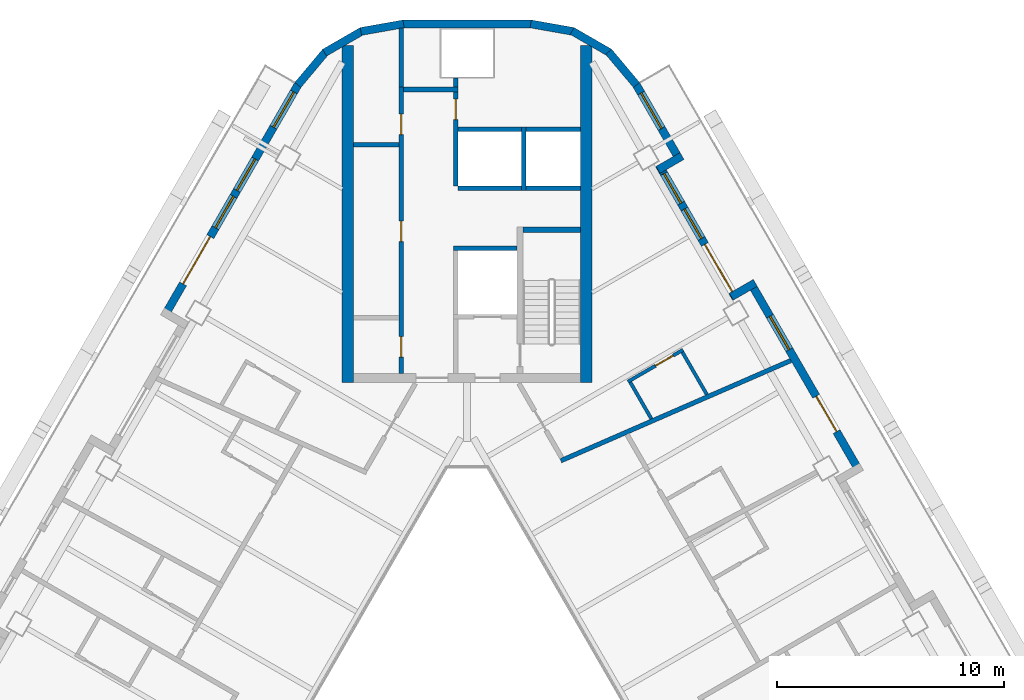
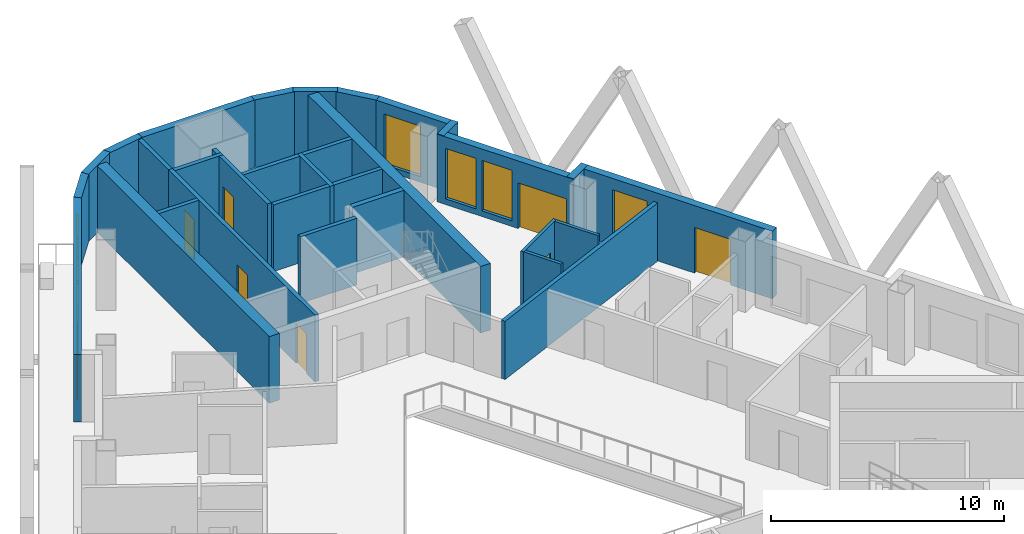
# One storey, part 7 of 14: 32 walls, 8 doors, 7 windows, 15 openings.
"""IFC4 building model written with IfcOpenShell, lengths in metres."""

from ifc_helpers import new_model, si_unit, direction, frame, frame_2d, origin, place, context, subcontext, project, spatial, rectangle, extrude, material, layer, layer_set, type_object, element, fill, save


model = new_model("IFC4")

# Units and contexts
model_context = context("Model", 3, precision=1e-05, world=origin(), true_north=direction((0.0, 1.0)))
body_context = subcontext(model_context, "Body", "Model", "MODEL_VIEW")
ifc_project = project(units=[si_unit("LENGTHUNIT", "METRE"), si_unit("AREAUNIT", "SQUARE_METRE"), si_unit("VOLUMEUNIT", "CUBIC_METRE"), si_unit("PLANEANGLEUNIT", "RADIAN"), si_unit("MASSUNIT", "GRAM", prefix="KILO")], contexts=[model_context])

# Site, building, storey
site_placement = place(None, origin())
site = spatial("IfcSite", under=ifc_project, at=site_placement, CompositionType="ELEMENT")
building_placement = place(site_placement, origin())
building = spatial("IfcBuilding", under=site, at=building_placement, Name="Apuvela Tower Hotel", CompositionType="ELEMENT")
storey_placement = place(building_placement, frame((0.0, 0.0, 154.0)))
storey = spatial("IfcBuildingStorey", under=building, at=storey_placement, Name="L36", CompositionType="ELEMENT", Elevation=154.0)

# Walls
ifc_material_1 = material(Name="Concrete C50/60", Category="concrete")
ifc_layer_1 = layer(ifc_material_1, 0.5)
ifc_layer_set_1 = layer_set([ifc_layer_1], Name="COR-WALL-CORE-500")
wall_type_1 = type_object("IfcWallType", Name="COR-WALL-CORE-500", PredefinedType="SHEAR", material=ifc_layer_set_1)
for number, where, z_axis, x_axis, name in (
    (1, (5.25, 12.89990234375, 0.0), (0.0, 0.0, 1.0), (0.0, 1.0, 0.0), "Core wall N"),
    (2, (-5.25, 12.89990234375, 0.0), (0.0, 0.0, 1.0), (0.0, 1.0, 0.0), "Core wall N"),
):
    element("IfcWall", number, at=place(storey_placement, frame(where, z_axis=z_axis, x_axis=x_axis)), inside=storey, type_object=wall_type_1, Name=name, PredefinedType="SHEAR", context=body_context, shape_type="SweptSolid", body=[
        extrude(rectangle(XDim=14.8369140625, YDim=0.5, at=frame_2d((7.41845703125, 0.0))), origin(), (0.0, 0.0, 1.0), 3.5),
    ])
ifc_material_2 = material(Name="Blockwork 200 mm plastered", Category="masonry")
ifc_layer_2 = layer(ifc_material_2, 0.199951171875)
ifc_layer_set_2 = layer_set([ifc_layer_2], Name="COR-WALL-PART-200")
wall_type_2 = type_object("IfcWallType", Name="COR-WALL-PART-200", PredefinedType="PARTITIONING", material=ifc_layer_set_2)
wall_1_placement = place(storey_placement, frame((5.0, 21.449951171875, 0.0), z_axis=(0.0, 0.0, 1.0), x_axis=(-1.0, 0.0, 0.0)))
element("IfcWall", 3, at=wall_1_placement, inside=storey, type_object=wall_type_2, Name="Partition N", PredefinedType="PARTITIONING", context=body_context, shape_type="SweptSolid", body=[
    extrude(rectangle(XDim=2.39990234375, YDim=0.199951171875, at=frame_2d((1.199951171875, 0.0))), origin(), (0.0, 0.0, 1.0), 3.5),
])
wall_2_placement = place(storey_placement, frame((2.39990234375, 21.449951171875, 0.0), z_axis=(0.0, 0.0, 1.0), x_axis=(-1.0, 0.0, 0.0)))
element("IfcWall", 4, at=wall_2_placement, inside=storey, type_object=wall_type_2, Name="Partition N", PredefinedType="PARTITIONING", context=body_context, shape_type="SweptSolid", body=[
    extrude(rectangle(XDim=2.7998046875, YDim=0.199951171875, at=frame_2d((1.39990234375, 0.0))), origin(), (0.0, 0.0, 1.0), 3.5),
])
ifc_layer_3 = layer(ifc_material_1, 0.199951171875)
ifc_layer_set_3 = layer_set([ifc_layer_3], Name="COR-WALL-SHAFT-200")
wall_type_3 = type_object("IfcWallType", Name="COR-WALL-SHAFT-200", PredefinedType="SHEAR", material=ifc_layer_set_3)
wall_3_placement = place(storey_placement, frame((2.199951171875, 18.800048828125, 0.0), z_axis=(0.0, 0.0, 1.0), x_axis=(-1.0, 0.0, 0.0)))
element("IfcWall", 5, at=wall_3_placement, inside=storey, type_object=wall_type_3, Name="Shaft wall N", PredefinedType="SHEAR", context=body_context, shape_type="SweptSolid", body=[
    extrude(rectangle(XDim=2.800048828125, YDim=0.199951171875, at=frame_2d((1.39990234375, 0.0))), origin(), (0.0, 0.0, 1.0), 3.5),
])

# Wall, openings, doors
wall_4_placement = place(storey_placement, frame((-2.89990234375, 13.300048828125, 0.0), z_axis=(0.0, 0.0, 1.0), x_axis=(0.0, 1.0, 0.0)))
wall_4 = element("IfcWall", 6, at=wall_4_placement, inside=storey, type_object=wall_type_3, Name="Shaft wall N", PredefinedType="SHEAR", context=body_context, shape_type="SweptSolid", body=[
    extrude(rectangle(XDim=12.599853515625, YDim=0.199951171875, at=frame_2d((6.2998046875, 0.0))), origin(), (0.0, 0.0, 1.0), 3.5),
])
opening_1_placement = place(wall_4_placement, frame((0.719970703125, 0.0, 0.0)))
opening_1 = element("IfcOpeningElement", 7, at=opening_1_placement, cuts=wall_4, Name="Opening N-RE1", PredefinedType="OPENING", context=body_context, shape_type="SweptSolid", body=[
    extrude(rectangle(XDim=0.89990234375, YDim=2.10009765625, at=frame_2d((0.449951171875, 1.050048828125))), frame((0.0, 0.10986328125, 0.0), z_axis=(0.0, -1.0, 0.0), x_axis=(1.0, 0.0, 0.0)), (0.0, 0.0, 1.0), 0.219970703125),
])
opening_2_placement = place(wall_4_placement, frame((5.800048828125, 0.0, 0.0)))
opening_2 = element("IfcOpeningElement", 8, at=opening_2_placement, cuts=wall_4, Name="Opening N-RE2", PredefinedType="OPENING", context=body_context, shape_type="SweptSolid", body=[
    extrude(rectangle(XDim=0.89990234375, YDim=2.10009765625, at=frame_2d((0.449951171875, 1.050048828125))), frame((0.0, 0.10986328125, 0.0), z_axis=(0.0, -1.0, 0.0), x_axis=(1.0, 0.0, 0.0)), (0.0, 0.0, 1.0), 0.219970703125),
])
opening_3_placement = place(wall_4_placement, frame((10.510009765625, 0.0, 0.0)))
opening_3 = element("IfcOpeningElement", 9, at=opening_3_placement, cuts=wall_4, Name="Opening N-REP", PredefinedType="OPENING", context=body_context, shape_type="SweptSolid", body=[
    extrude(rectangle(XDim=0.89990234375, YDim=2.10009765625, at=frame_2d((0.449951171875, 1.050048828125))), frame((0.0, 0.10986328125, 0.0), z_axis=(0.0, -1.0, 0.0), x_axis=(1.0, 0.0, 0.0)), (0.0, 0.0, 1.0), 0.219970703125),
])
ifc_material_3 = material(Name="Steel fire door, powder coated", Category="steel")
door_type_1 = type_object("IfcDoorType", Name="COR-DR-900", OperationType="NOTDEFINED", PredefinedType="DOOR", material=ifc_material_3)
door_1_placement = place(opening_1_placement, origin())
door_1 = element("IfcDoor", 10, at=door_1_placement, inside=storey, type_object=door_type_1, Name="Store door N-RE1", OperationType="SINGLE_SWING_LEFT", OverallHeight=2.10009765625, OverallWidth=0.89990234375, PredefinedType="DOOR", context=body_context, shape_type="SweptSolid", body=[
    extrude(rectangle(XDim=0.89990234375, YDim=2.10009765625, at=frame_2d((0.449951171875, 1.050048828125))), frame((0.0, 0.02490234375, 0.0), z_axis=(0.0, -1.0, 0.0), x_axis=(1.0, 0.0, 0.0)), (0.0, 0.0, 1.0), 0.050048828125),
])
fill(opening_1, door_1)
door_2_placement = place(opening_2_placement, origin())
door_2 = element("IfcDoor", 11, at=door_2_placement, inside=storey, type_object=door_type_1, Name="Store door N-RE2", OperationType="SINGLE_SWING_RIGHT", OverallHeight=2.10009765625, OverallWidth=0.89990234375, PredefinedType="DOOR", context=body_context, shape_type="SweptSolid", body=[
    extrude(rectangle(XDim=0.89990234375, YDim=2.10009765625, at=frame_2d((0.449951171875, 1.050048828125))), frame((0.0, 0.02490234375, 0.0), z_axis=(0.0, -1.0, 0.0), x_axis=(1.0, 0.0, 0.0)), (0.0, 0.0, 1.0), 0.050048828125),
])
fill(opening_2, door_2)
door_3_placement = place(opening_3_placement, origin())
door_3 = element("IfcDoor", 12, at=door_3_placement, inside=storey, type_object=door_type_1, Name="Store door N-REP", OperationType="SINGLE_SWING_RIGHT", OverallHeight=2.10009765625, OverallWidth=0.89990234375, PredefinedType="DOOR", context=body_context, shape_type="SweptSolid", body=[
    extrude(rectangle(XDim=0.89990234375, YDim=2.10009765625, at=frame_2d((0.449951171875, 1.050048828125))), frame((0.0, 0.02490234375, 0.0), z_axis=(0.0, -1.0, 0.0), x_axis=(1.0, 0.0, 0.0)), (0.0, 0.0, 1.0), 0.050048828125),
])
fill(opening_3, door_3)

# Wall
wall_5_placement = place(storey_placement, frame((-0.39990234375, 25.800048828125, 0.0), z_axis=(0.0, 0.0, 1.0), x_axis=(-1.0, 0.0, 0.0)))
element("IfcWall", 13, at=wall_5_placement, inside=storey, type_object=wall_type_3, Name="Shaft wall N", PredefinedType="SHEAR", context=body_context, shape_type="SweptSolid", body=[
    extrude(rectangle(XDim=2.400146484375, YDim=0.199951171875, at=frame_2d((1.2001953125, 0.0))), origin(), (0.0, 0.0, 1.0), 3.5),
])

# Wall, opening, door
wall_6_placement = place(storey_placement, frame((-0.5, 21.550048828125, 0.0), z_axis=(0.0, 0.0, 1.0), x_axis=(0.0, 1.0, 0.0)))
wall_6 = element("IfcWall", 14, at=wall_6_placement, inside=storey, type_object=wall_type_3, Name="Shaft wall N", PredefinedType="SHEAR", context=body_context, shape_type="SweptSolid", body=[
    extrude(rectangle(XDim=4.14990234375, YDim=0.199951171875, at=frame_2d((2.074951171875, 0.0))), origin(), (0.0, 0.0, 1.0), 3.5),
])
opening_4_placement = place(wall_6_placement, frame((2.925048828125, 0.0, 0.0)))
opening_4 = element("IfcOpeningElement", 15, at=opening_4_placement, cuts=wall_6, Name="Opening N-RSP", PredefinedType="OPENING", context=body_context, shape_type="SweptSolid", body=[
    extrude(rectangle(XDim=0.89990234375, YDim=2.10009765625, at=frame_2d((0.449951171875, 1.050048828125))), frame((0.0, 0.10986328125, 0.0), z_axis=(0.0, -1.0, 0.0), x_axis=(1.0, 0.0, 0.0)), (0.0, 0.0, 1.0), 0.219970703125),
])
door_4_placement = place(opening_4_placement, frame((0.89990234375, 0.0, 0.0), z_axis=(0.0, 0.0, 1.0), x_axis=(-1.0, 0.0, 0.0)))
door_4 = element("IfcDoor", 16, at=door_4_placement, inside=storey, type_object=door_type_1, Name="Store door N-RSP", OperationType="SINGLE_SWING_LEFT", OverallHeight=2.10009765625, OverallWidth=0.89990234375, PredefinedType="DOOR", context=body_context, shape_type="SweptSolid", body=[
    extrude(rectangle(XDim=0.89990234375, YDim=2.10009765625, at=frame_2d((0.449951171875, 1.050048828125))), frame((0.0, 0.02490234375, 0.0), z_axis=(0.0, -1.0, 0.0), x_axis=(1.0, 0.0, 0.0)), (0.0, 0.0, 1.0), 0.050048828125),
])
fill(opening_4, door_4)

# Walls
wall_7_placement = place(storey_placement, frame((-3.0, 23.360107421875, 0.0), z_axis=(0.0, 0.0, 1.0), x_axis=(-1.0, 0.0, 0.0)))
element("IfcWall", 17, at=wall_7_placement, inside=storey, type_object=wall_type_3, Name="Shaft wall N", PredefinedType="SHEAR", context=body_context, shape_type="SweptSolid", body=[
    extrude(rectangle(XDim=2.0, YDim=0.199951171875, at=frame_2d((1.0, 0.0))), origin(), (0.0, 0.0, 1.0), 3.5),
])
wall_8_placement = place(storey_placement, frame((-0.5, 25.89990234375, 0.0), z_axis=(0.0, 0.0, 1.0), x_axis=(0.0, 1.0, 0.0)))
element("IfcWall", 18, at=wall_8_placement, inside=storey, type_object=wall_type_3, Name="Shaft wall N", PredefinedType="SHEAR", context=body_context, shape_type="SweptSolid", body=[
    extrude(rectangle(XDim=0.400146484375, YDim=0.199951171875, at=frame_2d((0.2001953125, 0.0))), origin(), (0.0, 0.0, 1.0), 3.5),
])
wall_9_placement = place(storey_placement, frame((-2.89990234375, 25.89990234375, 0.0), z_axis=(0.0, 0.0, 1.0), x_axis=(0.0, 1.0, 0.0)))
element("IfcWall", 19, at=wall_9_placement, inside=storey, type_object=wall_type_3, Name="Shaft wall N", PredefinedType="SHEAR", context=body_context, shape_type="SweptSolid", body=[
    extrude(rectangle(XDim=2.60009765625, YDim=0.199951171875, at=frame_2d((1.300048828125, 0.0))), origin(), (0.0, 0.0, 1.0), 3.5),
])
wall_10_placement = place(storey_placement, frame((2.5, 21.35009765625, 0.0), z_axis=(0.0, 0.0, 1.0), x_axis=(0.0, 1.0, 0.0)))
element("IfcWall", 20, at=wall_10_placement, inside=storey, type_object=wall_type_3, Name="Shaft wall N", PredefinedType="SHEAR", context=body_context, shape_type="SweptSolid", body=[
    extrude(rectangle(XDim=2.7998046875, YDim=0.199951171875, at=frame_2d((1.39990234375, 0.0))), origin(), (0.0, 0.0, 1.0), 3.5),
])
wall_11_placement = place(storey_placement, frame((5.0, 24.050048828125, 0.0), z_axis=(0.0, 0.0, 1.0), x_axis=(-1.0, 0.0, 0.0)))
element("IfcWall", 21, at=wall_11_placement, inside=storey, type_object=wall_type_3, Name="Shaft wall N", PredefinedType="SHEAR", context=body_context, shape_type="SweptSolid", body=[
    extrude(rectangle(XDim=2.39990234375, YDim=0.199951171875, at=frame_2d((1.199951171875, 0.0))), origin(), (0.0, 0.0, 1.0), 3.5),
])
wall_12_placement = place(storey_placement, frame((2.39990234375, 24.050048828125, 0.0), z_axis=(0.0, 0.0, 1.0), x_axis=(-1.0, 0.0, 0.0)))
element("IfcWall", 22, at=wall_12_placement, inside=storey, type_object=wall_type_3, Name="Shaft wall N", PredefinedType="SHEAR", context=body_context, shape_type="SweptSolid", body=[
    extrude(rectangle(XDim=2.7998046875, YDim=0.199951171875, at=frame_2d((1.39990234375, 0.0))), origin(), (0.0, 0.0, 1.0), 3.5),
])
ifc_layer_4 = layer(ifc_material_1, 0.25)
ifc_layer_set_4 = layer_set([ifc_layer_4], Name="COR-WALL-STAIR-250")
wall_type_4 = type_object("IfcWallType", Name="COR-WALL-STAIR-250", PredefinedType="SHEAR", material=ifc_layer_set_4)
wall_13_placement = place(storey_placement, frame((5.0, 19.625, 0.0), z_axis=(0.0, 0.0, 1.0), x_axis=(-1.0, 0.0, 0.0)))
element("IfcWall", 23, at=wall_13_placement, inside=storey, type_object=wall_type_4, Name="Stair wall N", PredefinedType="SHEAR", context=body_context, shape_type="SweptSolid", body=[
    extrude(rectangle(XDim=2.550048828125, YDim=0.25, at=frame_2d((1.27490234375, 0.0))), origin(), (0.0, 0.0, 1.0), 3.5),
])

# Wall, openings, door, windows
ifc_material_4 = material(Name="Concrete C40/50, dark pigmented precast panel", Category="concrete")
ifc_layer_5 = layer(ifc_material_4, 0.35009765625)
ifc_layer_set_5 = layer_set([ifc_layer_5], Name="ENV-WALL-350")
wall_type_5 = type_object("IfcWallType", Name="ENV-WALL-350", PredefinedType="SOLIDWALL", material=ifc_layer_set_5)
wall_14_placement = place(storey_placement, frame((-7.440673828125, 26.0224609375, 0.0), z_axis=(0.0, 0.0, 1.0), x_axis=(-0.499992533062, -0.86602971478, 0.0)))
wall_14 = element("IfcWall", 24, at=wall_14_placement, inside=storey, type_object=wall_type_5, Name="External wall L36-01", PredefinedType="SOLIDWALL", context=body_context, shape_type="SweptSolid", body=[
    extrude(rectangle(XDim=11.815673828125, YDim=0.35009765625, at=frame_2d((5.90771484375, 0.0))), origin(), (0.0, 0.0, 1.0), 3.550048828125),
])
opening_5_placement = place(wall_14_placement, frame((0.381103515625, 0.0, 0.300048828125)))
opening_5 = element("IfcOpeningElement", 25, at=opening_5_placement, cuts=wall_14, Name="Opening WN18", PredefinedType="OPENING", context=body_context, shape_type="SweptSolid", body=[
    extrude(rectangle(XDim=1.800048828125, YDim=2.64990234375, at=frame_2d((0.89990234375, 1.324951171875))), frame((0.0, 0.18505859375, 0.0), z_axis=(0.0, -1.0, 0.0), x_axis=(1.0, 0.0, 0.0)), (0.0, 0.0, 1.0), 0.3701171875),
])
opening_6_placement = place(wall_14_placement, frame((7.740478515625, 0.0, 0.0)))
opening_6 = element("IfcOpeningElement", 26, at=opening_6_placement, cuts=wall_14, Name="Opening BD24", PredefinedType="OPENING", context=body_context, shape_type="SweptSolid", body=[
    extrude(rectangle(XDim=2.39990234375, YDim=2.39990234375, at=frame_2d((1.199951171875, 1.199951171875))), frame((0.0, 0.18505859375, 0.0), z_axis=(0.0, -1.0, 0.0), x_axis=(1.0, 0.0, 0.0)), (0.0, 0.0, 1.0), 0.3701171875),
])
opening_7_placement = place(wall_14_placement, frame((3.791015625, 0.0, 0.300048828125)))
opening_7 = element("IfcOpeningElement", 27, at=opening_7_placement, cuts=wall_14, Name="Opening WN16", PredefinedType="OPENING", context=body_context, shape_type="SweptSolid", body=[
    extrude(rectangle(XDim=1.60009765625, YDim=2.64990234375, at=frame_2d((0.800048828125, 1.324951171875))), frame((0.0, 0.18505859375, 0.0), z_axis=(0.0, -1.0, 0.0), x_axis=(1.0, 0.0, 0.0)), (0.0, 0.0, 1.0), 0.3701171875),
])
opening_8_placement = place(wall_14_placement, frame((5.69091796875, 0.0, 0.300048828125)))
opening_8 = element("IfcOpeningElement", 28, at=opening_8_placement, cuts=wall_14, Name="Opening WN16", PredefinedType="OPENING", context=body_context, shape_type="SweptSolid", body=[
    extrude(rectangle(XDim=1.60009765625, YDim=2.64990234375, at=frame_2d((0.800048828125, 1.324951171875))), frame((0.0, 0.18505859375, 0.0), z_axis=(0.0, -1.0, 0.0), x_axis=(1.0, 0.0, 0.0)), (0.0, 0.0, 1.0), 0.3701171875),
])
ifc_material_5 = material(Name="Aluminium 6063-T6, dark bronze anodised frame with dark tinted laminated glass", Category="aluminium")
door_type_2 = type_object("IfcDoorType", Name="ENV-DOOR-BALCONY-2400x2400", OperationType="SLIDING_TO_LEFT", PredefinedType="DOOR", material=ifc_material_5)
door_5_placement = place(opening_6_placement, frame((2.39990234375, 0.0, 0.0), z_axis=(0.0, 0.0, 1.0), x_axis=(-1.0, 0.0, 0.0)))
door_5 = element("IfcDoor", 29, at=door_5_placement, inside=storey, type_object=door_type_2, Name="Balcony door BD24", OperationType="SLIDING_TO_LEFT", OverallHeight=2.39990234375, OverallWidth=2.39990234375, PredefinedType="DOOR", context=body_context, shape_type="SweptSolid", body=[
    extrude(rectangle(XDim=2.39990234375, YDim=2.39990234375, at=frame_2d((1.199951171875, 1.199951171875))), frame((0.0, 0.02490234375, 0.0), z_axis=(0.0, -1.0, 0.0), x_axis=(1.0, 0.0, 0.0)), (0.0, 0.0, 1.0), 0.050048828125),
])
fill(opening_6, door_5)
ifc_material_6 = material(Name="Glass, dark tinted laminated insulated glazing unit", Category="glass")
window_type_1 = type_object("IfcWindowType", Name="ENV-WIN-1600x2650", PartitioningType="SINGLE_PANEL", PredefinedType="WINDOW", material=ifc_material_6)
window_1_placement = place(opening_7_placement, origin())
window_1 = element("IfcWindow", 30, at=window_1_placement, inside=storey, type_object=window_type_1, Name="Window WN16", OverallHeight=2.64990234375, OverallWidth=1.60009765625, PartitioningType="SINGLE_PANEL", PredefinedType="WINDOW", context=body_context, shape_type="SweptSolid", body=[
    extrude(rectangle(XDim=1.60009765625, YDim=2.64990234375, at=frame_2d((0.800048828125, 1.324951171875))), frame((0.0, 0.030029296875, 0.0), z_axis=(0.0, -1.0, 0.0), x_axis=(1.0, 0.0, 0.0)), (0.0, 0.0, 1.0), 0.06005859375),
])
fill(opening_7, window_1)
window_2_placement = place(opening_8_placement, origin())
window_2 = element("IfcWindow", 31, at=window_2_placement, inside=storey, type_object=window_type_1, Name="Window WN16", OverallHeight=2.64990234375, OverallWidth=1.60009765625, PartitioningType="SINGLE_PANEL", PredefinedType="WINDOW", context=body_context, shape_type="SweptSolid", body=[
    extrude(rectangle(XDim=1.60009765625, YDim=2.64990234375, at=frame_2d((0.800048828125, 1.324951171875))), frame((0.0, 0.030029296875, 0.0), z_axis=(0.0, -1.0, 0.0), x_axis=(1.0, 0.0, 0.0)), (0.0, 0.0, 1.0), 0.06005859375),
])
fill(opening_8, window_2)
window_type_2 = type_object("IfcWindowType", Name="ENV-WIN-1800x2650", PartitioningType="SINGLE_PANEL", PredefinedType="WINDOW", material=ifc_material_6)
window_3_placement = place(opening_5_placement, origin())
window_3 = element("IfcWindow", 32, at=window_3_placement, inside=storey, type_object=window_type_2, Name="Window WN18", OverallHeight=2.64990234375, OverallWidth=1.800048828125, PartitioningType="SINGLE_PANEL", PredefinedType="WINDOW", context=body_context, shape_type="SweptSolid", body=[
    extrude(rectangle(XDim=1.800048828125, YDim=2.64990234375, at=frame_2d((0.89990234375, 1.324951171875))), frame((0.0, 0.030029296875, 0.0), z_axis=(0.0, -1.0, 0.0), x_axis=(1.0, 0.0, 0.0)), (0.0, 0.0, 1.0), 0.06005859375),
])
fill(opening_5, window_3)

# Wall, openings, door, window
wall_15_placement = place(storey_placement, frame((17.298583984375, 8.947998046875, 0.0), z_axis=(0.0, 0.0, 1.0), x_axis=(-0.500010041276, 0.866019606374, 0.0)))
wall_15 = element("IfcWall", 33, at=wall_15_placement, inside=storey, type_object=wall_type_5, Name="External wall L36-37", PredefinedType="SOLIDWALL", context=body_context, shape_type="SweptSolid", body=[
    extrude(rectangle(XDim=9.699951171875, YDim=0.35009765625, at=frame_2d((4.85009765625, 0.0))), origin(), (0.0, 0.0, 1.0), 3.550048828125),
])
opening_9_placement = place(wall_15_placement, frame((2.06201171875, 0.0, 0.0)))
opening_9 = element("IfcOpeningElement", 34, at=opening_9_placement, cuts=wall_15, Name="Opening BD18", PredefinedType="OPENING", context=body_context, shape_type="SweptSolid", body=[
    extrude(rectangle(XDim=1.800048828125, YDim=2.39990234375, at=frame_2d((0.89990234375, 1.199951171875))), frame((0.0, 0.18505859375, 0.0), z_axis=(0.0, -1.0, 0.0), x_axis=(1.0, 0.0, 0.0)), (0.0, 0.0, 1.0), 0.3701171875),
])
opening_10_placement = place(wall_15_placement, frame((6.230224609375, 0.0, 0.300048828125)))
opening_10 = element("IfcOpeningElement", 35, at=opening_10_placement, cuts=wall_15, Name="Opening WN17", PredefinedType="OPENING", context=body_context, shape_type="SweptSolid", body=[
    extrude(rectangle(XDim=1.699951171875, YDim=2.64990234375, at=frame_2d((0.85009765625, 1.324951171875))), frame((0.0, 0.18505859375, 0.0), z_axis=(0.0, -1.0, 0.0), x_axis=(1.0, 0.0, 0.0)), (0.0, 0.0, 1.0), 0.3701171875),
])
door_type_3 = type_object("IfcDoorType", Name="ENV-DOOR-BALCONY-1800x2400", OperationType="SLIDING_TO_LEFT", PredefinedType="DOOR", material=ifc_material_5)
door_6_placement = place(opening_9_placement, frame((1.800048828125, 0.0, 0.0), z_axis=(0.0, 0.0, 1.0), x_axis=(-1.0, 0.0, 0.0)))
door_6 = element("IfcDoor", 36, at=door_6_placement, inside=storey, type_object=door_type_3, Name="Balcony door BD18", OperationType="SLIDING_TO_LEFT", OverallHeight=2.39990234375, OverallWidth=1.800048828125, PredefinedType="DOOR", context=body_context, shape_type="SweptSolid", body=[
    extrude(rectangle(XDim=1.800048828125, YDim=2.39990234375, at=frame_2d((0.89990234375, 1.199951171875))), frame((0.0, 0.02490234375, 0.0), z_axis=(0.0, -1.0, 0.0), x_axis=(1.0, 0.0, 0.0)), (0.0, 0.0, 1.0), 0.050048828125),
])
fill(opening_9, door_6)
window_type_3 = type_object("IfcWindowType", Name="ENV-WIN-1700x2650", PartitioningType="SINGLE_PANEL", PredefinedType="WINDOW", material=ifc_material_6)
window_4_placement = place(opening_10_placement, origin())
window_4 = element("IfcWindow", 37, at=window_4_placement, inside=storey, type_object=window_type_3, Name="Window WN17", OverallHeight=2.64990234375, OverallWidth=1.699951171875, PartitioningType="SINGLE_PANEL", PredefinedType="WINDOW", context=body_context, shape_type="SweptSolid", body=[
    extrude(rectangle(XDim=1.699951171875, YDim=2.64990234375, at=frame_2d((0.85009765625, 1.324951171875))), frame((0.0, 0.030029296875, 0.0), z_axis=(0.0, -1.0, 0.0), x_axis=(1.0, 0.0, 0.0)), (0.0, 0.0, 1.0), 0.06005859375),
])
fill(opening_10, window_4)

# Wall
wall_16_placement = place(storey_placement, frame((12.6875, 17.284423828125, 0.0), z_axis=(0.0, 0.0, 1.0), x_axis=(-0.865955602162, -0.500120880472, 0.0)))
element("IfcWall", 38, at=wall_16_placement, inside=storey, type_object=wall_type_5, Name="External wall L36-38", PredefinedType="SOLIDWALL", context=body_context, shape_type="SweptSolid", body=[
    extrude(rectangle(XDim=1.219970703125, YDim=0.35009765625, at=frame_2d((0.60986328125, 0.0))), origin(), (0.0, 0.0, 1.0), 3.550048828125),
])

# Wall, openings, door, windows
wall_17_placement = place(storey_placement, frame((11.8291015625, 16.621337890625, 0.0), z_axis=(0.0, 0.0, 1.0), x_axis=(-0.500003597184, 0.866023326939, 0.0)))
wall_17 = element("IfcWall", 39, at=wall_17_placement, inside=storey, type_object=wall_type_5, Name="External wall L36-39", PredefinedType="SOLIDWALL", context=body_context, shape_type="SweptSolid", body=[
    extrude(rectangle(XDim=6.740234375, YDim=0.35009765625, at=frame_2d((3.3701171875, 0.0))), origin(), (0.0, 0.0, 1.0), 3.550048828125),
])
opening_11_placement = place(wall_17_placement, frame((0.320068359375, 0.0, 0.0)))
opening_11 = element("IfcOpeningElement", 40, at=opening_11_placement, cuts=wall_17, Name="Opening BD24", PredefinedType="OPENING", context=body_context, shape_type="SweptSolid", body=[
    extrude(rectangle(XDim=2.39990234375, YDim=2.39990234375, at=frame_2d((1.199951171875, 1.199951171875))), frame((0.0, 0.18505859375, 0.0), z_axis=(0.0, -1.0, 0.0), x_axis=(1.0, 0.0, 0.0)), (0.0, 0.0, 1.0), 0.3701171875),
])
opening_12_placement = place(wall_17_placement, frame((3.02001953125, 0.0, 0.300048828125)))
opening_12 = element("IfcOpeningElement", 41, at=opening_12_placement, cuts=wall_17, Name="Opening WN15", PredefinedType="OPENING", context=body_context, shape_type="SweptSolid", body=[
    extrude(rectangle(XDim=1.5, YDim=2.64990234375, at=frame_2d((0.75, 1.324951171875))), frame((0.0, 0.18505859375, 0.0), z_axis=(0.0, -1.0, 0.0), x_axis=(1.0, 0.0, 0.0)), (0.0, 0.0, 1.0), 0.3701171875),
])
opening_13_placement = place(wall_17_placement, frame((4.820068359375, 0.0, 0.300048828125)))
opening_13 = element("IfcOpeningElement", 42, at=opening_13_placement, cuts=wall_17, Name="Opening WN15", PredefinedType="OPENING", context=body_context, shape_type="SweptSolid", body=[
    extrude(rectangle(XDim=1.5, YDim=2.64990234375, at=frame_2d((0.75, 1.324951171875))), frame((0.0, 0.18505859375, 0.0), z_axis=(0.0, -1.0, 0.0), x_axis=(1.0, 0.0, 0.0)), (0.0, 0.0, 1.0), 0.3701171875),
])
door_7_placement = place(opening_11_placement, frame((2.39990234375, 0.0, 0.0), z_axis=(0.0, 0.0, 1.0), x_axis=(-1.0, 0.0, 0.0)))
door_7 = element("IfcDoor", 43, at=door_7_placement, inside=storey, type_object=door_type_2, Name="Balcony door BD24", OperationType="SLIDING_TO_LEFT", OverallHeight=2.39990234375, OverallWidth=2.39990234375, PredefinedType="DOOR", context=body_context, shape_type="SweptSolid", body=[
    extrude(rectangle(XDim=2.39990234375, YDim=2.39990234375, at=frame_2d((1.199951171875, 1.199951171875))), frame((0.0, 0.02490234375, 0.0), z_axis=(0.0, -1.0, 0.0), x_axis=(1.0, 0.0, 0.0)), (0.0, 0.0, 1.0), 0.050048828125),
])
fill(opening_11, door_7)
window_type_4 = type_object("IfcWindowType", Name="ENV-WIN-1500x2650", PartitioningType="SINGLE_PANEL", PredefinedType="WINDOW", material=ifc_material_6)
window_5_placement = place(opening_12_placement, origin())
window_5 = element("IfcWindow", 44, at=window_5_placement, inside=storey, type_object=window_type_4, Name="Window WN15", OverallHeight=2.64990234375, OverallWidth=1.5, PartitioningType="SINGLE_PANEL", PredefinedType="WINDOW", context=body_context, shape_type="SweptSolid", body=[
    extrude(rectangle(XDim=1.5, YDim=2.64990234375, at=frame_2d((0.75, 1.324951171875))), frame((0.0, 0.030029296875, 0.0), z_axis=(0.0, -1.0, 0.0), x_axis=(1.0, 0.0, 0.0)), (0.0, 0.0, 1.0), 0.06005859375),
])
fill(opening_12, window_5)
window_6_placement = place(opening_13_placement, origin())
window_6 = element("IfcWindow", 45, at=window_6_placement, inside=storey, type_object=window_type_4, Name="Window WN15", OverallHeight=2.64990234375, OverallWidth=1.5, PartitioningType="SINGLE_PANEL", PredefinedType="WINDOW", context=body_context, shape_type="SweptSolid", body=[
    extrude(rectangle(XDim=1.5, YDim=2.64990234375, at=frame_2d((0.75, 1.324951171875))), frame((0.0, 0.030029296875, 0.0), z_axis=(0.0, -1.0, 0.0), x_axis=(1.0, 0.0, 0.0)), (0.0, 0.0, 1.0), 0.06005859375),
])
fill(opening_13, window_6)

# Wall
wall_18_placement = place(storey_placement, frame((8.406005859375, 22.26025390625, 0.0), z_axis=(0.0, 0.0, 1.0), x_axis=(0.865955602162, 0.500120880472, 0.0)))
element("IfcWall", 46, at=wall_18_placement, inside=storey, type_object=wall_type_5, Name="External wall L36-40", PredefinedType="SOLIDWALL", context=body_context, shape_type="SweptSolid", body=[
    extrude(rectangle(XDim=1.219970703125, YDim=0.35009765625, at=frame_2d((0.60986328125, 0.0))), origin(), (0.0, 0.0, 1.0), 3.550048828125),
])

# Wall, opening, window
wall_19_placement = place(storey_placement, frame((9.3984375, 22.631103515625, 0.0), z_axis=(0.0, 0.0, 1.0), x_axis=(-0.499954521343, 0.866051659307, 0.0)))
wall_19 = element("IfcWall", 47, at=wall_19_placement, inside=storey, type_object=wall_type_5, Name="External wall L36-41", PredefinedType="SOLIDWALL", context=body_context, shape_type="SweptSolid", body=[
    extrude(rectangle(XDim=3.915771484375, YDim=0.35009765625, at=frame_2d((1.9580078125, 0.0))), origin(), (0.0, 0.0, 1.0), 3.550048828125),
])
opening_14_placement = place(wall_19_placement, frame((1.67529296875, 0.0, 0.300048828125)))
opening_14 = element("IfcOpeningElement", 48, at=opening_14_placement, cuts=wall_19, Name="Opening WN18", PredefinedType="OPENING", context=body_context, shape_type="SweptSolid", body=[
    extrude(rectangle(XDim=1.800048828125, YDim=2.64990234375, at=frame_2d((0.89990234375, 1.324951171875))), frame((0.0, 0.18505859375, 0.0), z_axis=(0.0, -1.0, 0.0), x_axis=(1.0, 0.0, 0.0)), (0.0, 0.0, 1.0), 0.3701171875),
])
window_7_placement = place(opening_14_placement, origin())
window_7 = element("IfcWindow", 49, at=window_7_placement, inside=storey, type_object=window_type_2, Name="Window WN18", OverallHeight=2.64990234375, OverallWidth=1.800048828125, PartitioningType="SINGLE_PANEL", PredefinedType="WINDOW", context=body_context, shape_type="SweptSolid", body=[
    extrude(rectangle(XDim=1.800048828125, YDim=2.64990234375, at=frame_2d((0.89990234375, 1.324951171875))), frame((0.0, 0.030029296875, 0.0), z_axis=(0.0, -1.0, 0.0), x_axis=(1.0, 0.0, 0.0)), (0.0, 0.0, 1.0), 0.06005859375),
])
fill(opening_14, window_7)

# Walls
wall_20_placement = place(storey_placement, frame((7.4580078125, 25.99755859375, 0.0), z_axis=(0.0, 0.0, 1.0), x_axis=(-0.642808304945, 0.766027077259, 0.0)))
element("IfcWall", 50, at=wall_20_placement, inside=storey, type_object=wall_type_5, Name="External wall L36-42", PredefinedType="SOLIDWALL", context=body_context, shape_type="SweptSolid", body=[
    extrude(rectangle(XDim=1.909912109375, YDim=0.35009765625, at=frame_2d((0.955078125, 0.0))), origin(), (0.0, 0.0, 1.0), 3.550048828125),
])
for number, where, z_axis, x_axis, name in (
    (51, (6.27685546875, 27.421630859375, 0.0), (0.0, 0.0, 1.0), (-0.866032345022, 0.499987977232, 0.0), "External wall L36-43"),
    (52, (4.6796875, 28.35595703125, 0.0), (0.0, 0.0, 1.0), (-0.984798995425, 0.173697837091, 0.0), "External wall L36-44"),
):
    element("IfcWall", number, at=place(storey_placement, frame(where, z_axis=z_axis, x_axis=x_axis)), inside=storey, type_object=wall_type_5, Name=name, PredefinedType="SOLIDWALL", context=body_context, shape_type="SweptSolid", body=[
        extrude(rectangle(XDim=1.91015625, YDim=0.35009765625, at=frame_2d((0.955078125, 0.0))), origin(), (0.0, 0.0, 1.0), 3.550048828125),
    ])
wall_21_placement = place(storey_placement, frame((2.8291015625, 28.68505859375, 0.0), z_axis=(0.0, 0.0, 1.0), x_axis=(-1.0, 0.0, 0.0)))
element("IfcWall", 53, at=wall_21_placement, inside=storey, type_object=wall_type_5, Name="External wall L36-45", PredefinedType="SOLIDWALL", context=body_context, shape_type="SweptSolid", body=[
    extrude(rectangle(XDim=5.658203125, YDim=0.35009765625, at=frame_2d((2.8291015625, 0.0))), origin(), (0.0, 0.0, 1.0), 3.550048828125),
])
for number, where, z_axis, x_axis, name in (
    (54, (-2.798583984375, 28.687744140625, 0.0), (0.0, 0.0, 1.0), (-0.984798995425, -0.173697837091, 0.0), "External wall L36-46"),
    (55, (-4.62255859375, 28.376708984375, 0.0), (0.0, 0.0, 1.0), (-0.866032345022, -0.499987977232, 0.0), "External wall L36-47"),
):
    element("IfcWall", number, at=place(storey_placement, frame(where, z_axis=z_axis, x_axis=x_axis)), inside=storey, type_object=wall_type_5, Name=name, PredefinedType="SOLIDWALL", context=body_context, shape_type="SweptSolid", body=[
        extrude(rectangle(XDim=1.91015625, YDim=0.35009765625, at=frame_2d((0.955078125, 0.0))), origin(), (0.0, 0.0, 1.0), 3.550048828125),
    ])
wall_22_placement = place(storey_placement, frame((-6.230224609375, 27.460693359375, 0.0), z_axis=(0.0, 0.0, 1.0), x_axis=(-0.642808304945, -0.766027077259, 0.0)))
element("IfcWall", 56, at=wall_22_placement, inside=storey, type_object=wall_type_5, Name="External wall L36-48", PredefinedType="SOLIDWALL", context=body_context, shape_type="SweptSolid", body=[
    extrude(rectangle(XDim=1.909912109375, YDim=0.35009765625, at=frame_2d((0.955078125, 0.0))), origin(), (0.0, 0.0, 1.0), 3.550048828125),
])
ifc_material_7 = material(Name="Gypsum board partition on twin steel stud", Category="steel")
ifc_layer_6 = layer(ifc_material_7, 0.199951171875)
ifc_layer_set_6 = layer_set([ifc_layer_6], Name="GST-PW1")
wall_type_6 = type_object("IfcWallType", Name="GST-PW1", PredefinedType="PARTITIONING", material=ifc_layer_set_6)
wall_23_placement = place(storey_placement, frame((14.257080078125, 13.8662109375, 0.0), z_axis=(0.0, 0.0, 1.0), x_axis=(-0.916761733334, -0.399434505638, 0.0)))
element("IfcWall", 57, at=wall_23_placement, inside=storey, type_object=wall_type_6, Name="L36 partition 06", PredefinedType="PARTITIONING", context=body_context, shape_type="SweptSolid", body=[
    extrude(rectangle(XDim=11.050048828125, YDim=0.199951171875, at=frame_2d((5.52490234375, 0.0))), origin(), (0.0, 0.0, 1.0), 3.06005859375),
])

# Wall, opening, door
ifc_material_8 = material(Name="Moisture-resistant gypsum board wet wall on steel stud", Category="steel")
ifc_layer_7 = layer(ifc_material_8, 0.14990234375)
ifc_layer_set_7 = layer_set([ifc_layer_7], Name="GST-PW3")
wall_type_7 = type_object("IfcWallType", Name="GST-PW3", PredefinedType="PARTITIONING", material=ifc_layer_set_7)
wall_24_placement = place(storey_placement, frame((9.506103515625, 14.335205078125, 0.0), z_axis=(0.0, 0.0, 1.0), x_axis=(-0.866056369097, -0.49994636267, 0.0)))
wall_24 = element("IfcWall", 58, at=wall_24_placement, inside=storey, type_object=wall_type_7, Name="L36 partition 35", PredefinedType="PARTITIONING", context=body_context, shape_type="SweptSolid", body=[
    extrude(rectangle(XDim=2.800048828125, YDim=0.14990234375, at=frame_2d((1.39990234375, 0.0))), origin(), (0.0, 0.0, 1.0), 3.550048828125),
])
opening_15_placement = place(wall_24_placement, frame((0.5, 0.0, 0.0)))
opening_15 = element("IfcOpeningElement", 59, at=opening_15_placement, cuts=wall_24, Name="Opening GD13-15", PredefinedType="OPENING", context=body_context, shape_type="SweptSolid", body=[
    extrude(rectangle(XDim=0.89990234375, YDim=2.10009765625, at=frame_2d((0.449951171875, 1.050048828125))), frame((0.0, 0.0849609375, 0.0), z_axis=(0.0, -1.0, 0.0), x_axis=(1.0, 0.0, 0.0)), (0.0, 0.0, 1.0), 0.169921875),
])
ifc_material_9 = material(Name="Timber door leaf in steel frame", Category="steel")
door_type_4 = type_object("IfcDoorType", Name="GST-D2", OperationType="NOTDEFINED", PredefinedType="DOOR", material=ifc_material_9)
door_8_placement = place(opening_15_placement, origin())
door_8 = element("IfcDoor", 60, at=door_8_placement, inside=storey, type_object=door_type_4, Name="Door L36-15", OperationType="SINGLE_SWING_LEFT", OverallHeight=2.10009765625, OverallWidth=0.89990234375, PredefinedType="DOOR", context=body_context, shape_type="SweptSolid", body=[
    extrude(rectangle(XDim=0.89990234375, YDim=2.10009765625, at=frame_2d((0.449951171875, 1.050048828125))), frame((0.0, 0.02490234375, 0.0), z_axis=(0.0, -1.0, 0.0), x_axis=(1.0, 0.0, 0.0)), (0.0, 0.0, 1.0), 0.050048828125),
])
fill(opening_15, door_8)

# Walls
wall_25_placement = place(storey_placement, frame((10.5576171875, 12.363525390625, 0.0), z_axis=(0.0, 0.0, 1.0), x_axis=(-0.499983569942, 0.866034889475, 0.0)))
element("IfcWall", 61, at=wall_25_placement, inside=storey, type_object=wall_type_7, Name="L36 partition 36", PredefinedType="PARTITIONING", context=body_context, shape_type="SweptSolid", body=[
    extrude(rectangle(XDim=2.158203125, YDim=0.14990234375, at=frame_2d((1.0791015625, 0.0))), origin(), (0.0, 0.0, 1.0), 3.550048828125),
])
wall_26_placement = place(storey_placement, frame((8.11279296875, 11.298095703125, 0.0), z_axis=(0.0, 0.0, 1.0), x_axis=(-0.49995366312, 0.866052154742, 0.0)))
element("IfcWall", 62, at=wall_26_placement, inside=storey, type_object=wall_type_7, Name="L36 partition 37", PredefinedType="PARTITIONING", context=body_context, shape_type="SweptSolid", body=[
    extrude(rectangle(XDim=1.858642578125, YDim=0.14990234375, at=frame_2d((0.92919921875, 0.0))), origin(), (0.0, 0.0, 1.0), 3.550048828125),
])

save(model, "model.ifc")
